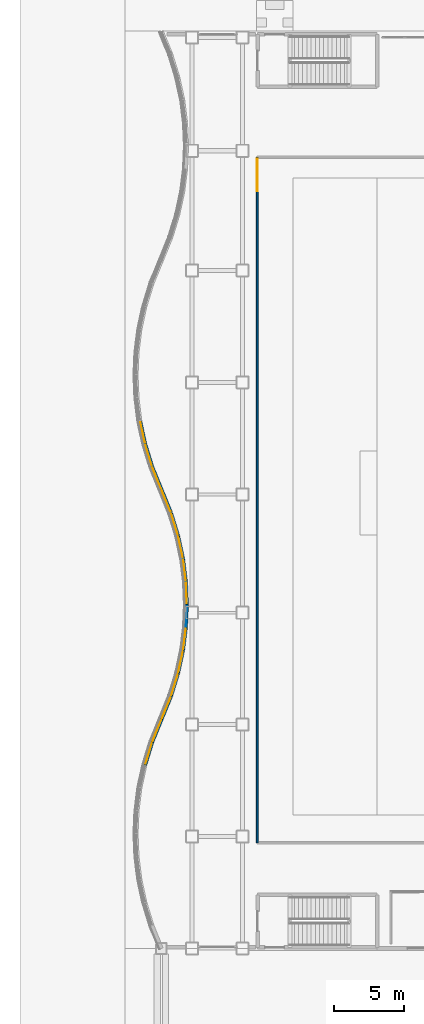
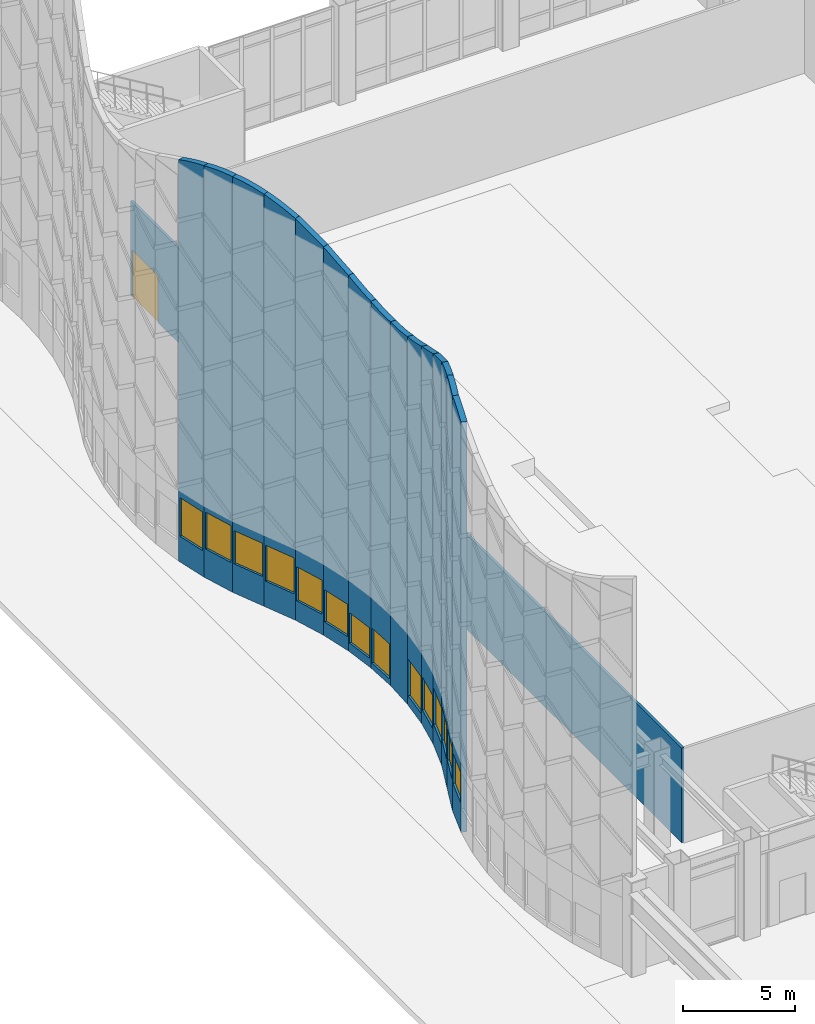
# One storey, part 130 of 165: 16 walls, 14 windows, 1 door, 15 openings.
"""IFC4 building model written with IfcOpenShell, lengths in metres."""

from ifc_helpers import new_model, si_unit, direction, frame, frame_2d, origin, place, context, subcontext, project, spatial, polyline, rectangle, outline, extrude, material, layer, layer_set, type_object, element, fill, save


model = new_model("IFC4")

# Units and contexts
model_context = context("Model", 3, precision=1e-05, world=origin(), true_north=direction((0.0, 1.0)))
body_context = subcontext(model_context, "Body", "Model", "MODEL_VIEW")
ifc_project = project(units=[si_unit("LENGTHUNIT", "METRE"), si_unit("AREAUNIT", "SQUARE_METRE"), si_unit("VOLUMEUNIT", "CUBIC_METRE"), si_unit("PLANEANGLEUNIT", "RADIAN"), si_unit("MASSUNIT", "GRAM", prefix="KILO")], contexts=[model_context])

# Site, building, storey
site_placement = place(None, origin())
site = spatial("IfcSite", under=ifc_project, at=site_placement, CompositionType="ELEMENT")
building_placement = place(site_placement, origin())
building = spatial("IfcBuilding", under=site, at=building_placement, Name="Kazehara Bluff Congress Hotel", CompositionType="ELEMENT")
storey_placement = place(building_placement, origin())
storey = spatial("IfcBuildingStorey", under=building, at=storey_placement, Name="L00", CompositionType="ELEMENT", Elevation=0.0)

# Wall, opening, window
ifc_material_1 = material(Name="Precast concrete C40/50", Category="concrete")
ifc_layer_1 = layer(ifc_material_1, 0.280029296875)
ifc_layer_set_1 = layer_set([ifc_layer_1], Name="Precast concrete C40/50")
wall_type_1 = type_object("IfcWallType", Name="TP-EW-280", PredefinedType="SOLIDWALL", material=ifc_layer_set_1)
wall_1_placement = place(storey_placement, frame((1.425048828125, 61.56005859375, 0.0), z_axis=(0.0, 0.0, 1.0), x_axis=(0.294245819444, 0.955729772342, 0.0)))
wall_1 = element("IfcWall", 1, at=wall_1_placement, inside=storey, type_object=wall_type_1, Name="Wave ribbon wall WR-V1 chord 9", PredefinedType="SOLIDWALL", context=body_context, shape_type="SweptSolid", body=[
    extrude(outline(polyline([(0.0, 0.0), (1.7158203125, 0.0), (1.715087890625, 22.5400390625), (1.5, 22.530029296875), (1.284912109375, 22.510009765625), (1.070068359375, 22.47998046875), (0.860107421875, 22.449951171875), (0.64501953125, 22.4150390625), (0.429931640625, 22.3701171875), (0.215087890625, 22.320068359375), (0.0, 22.264892578125), (0.0, 0.0)])), frame((0.0, 0.14013671875, 0.0), z_axis=(0.0, -1.0, 0.0), x_axis=(1.0, 0.0, 0.0)), (0.0, 0.0, 1.0), 0.280029296875),
])
opening_1_placement = place(wall_1_placement, frame((0.090087890625, 0.0, 1.554931640625)))
opening_1 = element("IfcOpeningElement", 2, at=opening_1_placement, cuts=wall_1, Name="Opening WW-01", PredefinedType="OPENING", context=body_context, shape_type="SweptSolid", body=[
    extrude(rectangle(XDim=1.534912109375, YDim=1.64990234375, at=frame_2d((0.767578125, 0.824951171875))), frame((0.0, 0.14990234375, 0.0), z_axis=(0.0, -1.0, 0.0), x_axis=(1.0, 0.0, 0.0)), (0.0, 0.0, 1.0), 0.300048828125),
])
ifc_material_2 = material(Name="Insulated low-E double glazing", Category="glass")
window_type_1 = type_object("IfcWindowType", Name="TP-WW-01", PartitioningType="SINGLE_PANEL", PredefinedType="WINDOW", material=ifc_material_2)
window_1_placement = place(opening_1_placement, origin())
window_1 = element("IfcWindow", 3, at=window_1_placement, inside=storey, type_object=window_type_1, Name="Wave foyer ribbon window WR-V1-09", OverallHeight=1.64990234375, OverallWidth=1.534912109375, PartitioningType="SINGLE_PANEL", PredefinedType="WINDOW", context=body_context, shape_type="SweptSolid", body=[
    extrude(rectangle(XDim=1.534912109375, YDim=1.64990234375, at=frame_2d((0.767578125, 0.824951171875))), frame((0.0, 0.030029296875, 0.0), z_axis=(0.0, -1.0, 0.0), x_axis=(1.0, 0.0, 0.0)), (0.0, 0.0, 1.0), 0.06005859375),
])
fill(opening_1, window_1)

wall_2_placement = place(storey_placement, frame((1.929931640625, 63.199951171875, 0.0), z_axis=(0.0, 0.0, 1.0), x_axis=(0.378246499761, 0.925704912712, 0.0)))
wall_2 = element("IfcWall", 4, at=wall_2_placement, inside=storey, type_object=wall_type_1, Name="Wave ribbon wall WR-V1 chord 10", PredefinedType="SOLIDWALL", context=body_context, shape_type="SweptSolid", body=[
    extrude(outline(polyline([(0.0, 0.0), (1.771728515625, 0.0), (1.77001953125, 22.4150390625), (1.550048828125, 22.449951171875), (1.330078125, 22.485107421875), (1.10498046875, 22.510009765625), (0.885009765625, 22.530029296875), (0.6650390625, 22.544921875), (0.43994140625, 22.550048828125), (0.219970703125, 22.550048828125), (0.0, 22.5400390625), (0.0, 0.0)])), frame((0.0, 0.14013671875, 0.0), z_axis=(0.0, -1.0, 0.0), x_axis=(1.0, 0.0, 0.0)), (0.0, 0.0, 1.0), 0.280029296875),
])
opening_2_placement = place(wall_2_placement, frame((0.090087890625, 0.0, 1.590087890625)))
opening_2 = element("IfcOpeningElement", 5, at=opening_2_placement, cuts=wall_2, Name="Opening WW-02", PredefinedType="OPENING", context=body_context, shape_type="SweptSolid", body=[
    extrude(rectangle(XDim=1.590087890625, YDim=1.75, at=frame_2d((0.794921875, 0.875))), frame((0.0, 0.14990234375, 0.0), z_axis=(0.0, -1.0, 0.0), x_axis=(1.0, 0.0, 0.0)), (0.0, 0.0, 1.0), 0.300048828125),
])
ifc_material_3 = material(Name="Insulated low-E double glazing", Category="glass")
window_type_2 = type_object("IfcWindowType", Name="TP-WW-02", PartitioningType="SINGLE_PANEL", PredefinedType="WINDOW", material=ifc_material_3)
window_2_placement = place(opening_2_placement, origin())
window_2 = element("IfcWindow", 6, at=window_2_placement, inside=storey, type_object=window_type_2, Name="Wave foyer ribbon window WR-V1-10", OverallHeight=1.75, OverallWidth=1.590087890625, PartitioningType="SINGLE_PANEL", PredefinedType="WINDOW", context=body_context, shape_type="SweptSolid", body=[
    extrude(rectangle(XDim=1.590087890625, YDim=1.75, at=frame_2d((0.794921875, 0.875))), frame((0.0, 0.030029296875, 0.0), z_axis=(0.0, -1.0, 0.0), x_axis=(1.0, 0.0, 0.0)), (0.0, 0.0, 1.0), 0.06005859375),
])
fill(opening_2, window_2)

wall_3_placement = place(storey_placement, frame((2.60009765625, 64.840087890625, 0.0), z_axis=(0.0, 0.0, 1.0), x_axis=(0.379143902022, 0.925337722974, 0.0)))
wall_3 = element("IfcWall", 7, at=wall_3_placement, inside=storey, type_object=wall_type_1, Name="Wave ribbon wall WR-V1 chord 11", PredefinedType="SOLIDWALL", context=body_context, shape_type="SweptSolid", body=[
    extrude(outline(polyline([(0.0, 0.0), (1.766845703125, 0.0), (1.764892578125, 21.905029296875), (1.544921875, 21.985107421875), (1.324951171875, 22.06005859375), (1.10498046875, 22.135009765625), (0.8798828125, 22.199951171875), (0.659912109375, 22.260009765625), (0.43994140625, 22.31494140625), (0.219970703125, 22.3701171875), (0.0, 22.4150390625), (0.0, 0.0)])), frame((0.0, 0.14013671875, 0.0), z_axis=(0.0, -1.0, 0.0), x_axis=(1.0, 0.0, 0.0)), (0.0, 0.0, 1.0), 0.280029296875),
])
opening_3_placement = place(wall_3_placement, frame((0.090087890625, 0.0, 1.43505859375)))
opening_3 = element("IfcOpeningElement", 8, at=opening_3_placement, cuts=wall_3, Name="Opening WW-03", PredefinedType="OPENING", context=body_context, shape_type="SweptSolid", body=[
    extrude(rectangle(XDim=1.5849609375, YDim=1.85009765625, at=frame_2d((0.79248046875, 0.925048828125))), frame((0.0, 0.14990234375, 0.0), z_axis=(0.0, -1.0, 0.0), x_axis=(1.0, 0.0, 0.0)), (0.0, 0.0, 1.0), 0.300048828125),
])
ifc_material_4 = material(Name="Insulated low-E double glazing", Category="glass")
window_type_3 = type_object("IfcWindowType", Name="TP-WW-03", PartitioningType="SINGLE_PANEL", PredefinedType="WINDOW", material=ifc_material_4)
window_3_placement = place(opening_3_placement, origin())
window_3 = element("IfcWindow", 9, at=window_3_placement, inside=storey, type_object=window_type_3, Name="Wave foyer ribbon window WR-V1-11", OverallHeight=1.85009765625, OverallWidth=1.5849609375, PartitioningType="SINGLE_PANEL", PredefinedType="WINDOW", context=body_context, shape_type="SweptSolid", body=[
    extrude(rectangle(XDim=1.5849609375, YDim=1.85009765625, at=frame_2d((0.79248046875, 0.925048828125))), frame((0.0, 0.030029296875, 0.0), z_axis=(0.0, -1.0, 0.0), x_axis=(1.0, 0.0, 0.0)), (0.0, 0.0, 1.0), 0.06005859375),
])
fill(opening_3, window_3)

wall_4_placement = place(storey_placement, frame((3.27001953125, 66.47509765625, 0.0), z_axis=(0.0, 0.0, 1.0), x_axis=(0.294245819444, 0.955729772342, 0.0)))
wall_4 = element("IfcWall", 10, at=wall_4_placement, inside=storey, type_object=wall_type_1, Name="Wave ribbon wall WR-V1 chord 12", PredefinedType="SOLIDWALL", context=body_context, shape_type="SweptSolid", body=[
    extrude(outline(polyline([(0.0, 0.0), (1.7158203125, 0.0), (1.715087890625, 21.195068359375), (1.5, 21.2900390625), (1.284912109375, 21.3798828125), (1.070068359375, 21.47509765625), (0.860107421875, 21.56494140625), (0.64501953125, 21.655029296875), (0.429931640625, 21.739990234375), (0.215087890625, 21.824951171875), (0.0, 21.905029296875), (0.0, 0.0)])), frame((0.0, 0.14013671875, 0.0), z_axis=(0.0, -1.0, 0.0), x_axis=(1.0, 0.0, 0.0)), (0.0, 0.0, 1.0), 0.280029296875),
])
opening_4_placement = place(wall_4_placement, frame((0.090087890625, 0.0, 1.14501953125)))
opening_4 = element("IfcOpeningElement", 11, at=opening_4_placement, cuts=wall_4, Name="Opening WW-04", PredefinedType="OPENING", context=body_context, shape_type="SweptSolid", body=[
    extrude(rectangle(XDim=1.534912109375, YDim=1.949951171875, at=frame_2d((0.767578125, 0.97509765625))), frame((0.0, 0.14990234375, 0.0), z_axis=(0.0, -1.0, 0.0), x_axis=(1.0, 0.0, 0.0)), (0.0, 0.0, 1.0), 0.300048828125),
])
ifc_material_5 = material(Name="Insulated low-E double glazing", Category="glass")
window_type_4 = type_object("IfcWindowType", Name="TP-WW-04", PartitioningType="SINGLE_PANEL", PredefinedType="WINDOW", material=ifc_material_5)
window_4_placement = place(opening_4_placement, origin())
window_4 = element("IfcWindow", 12, at=window_4_placement, inside=storey, type_object=window_type_4, Name="Wave foyer ribbon window WR-V1-12", OverallHeight=1.949951171875, OverallWidth=1.534912109375, PartitioningType="SINGLE_PANEL", PredefinedType="WINDOW", context=body_context, shape_type="SweptSolid", body=[
    extrude(rectangle(XDim=1.534912109375, YDim=1.949951171875, at=frame_2d((0.767578125, 0.97509765625))), frame((0.0, 0.030029296875, 0.0), z_axis=(0.0, -1.0, 0.0), x_axis=(1.0, 0.0, 0.0)), (0.0, 0.0, 1.0), 0.06005859375),
])
fill(opening_4, window_4)

wall_5_placement = place(storey_placement, frame((3.77490234375, 68.114990234375, 0.0), z_axis=(0.0, 0.0, 1.0), x_axis=(0.211565717967, 0.97736377413, 0.0)))
wall_5 = element("IfcWall", 13, at=wall_5_placement, inside=storey, type_object=wall_type_1, Name="Wave ribbon wall WR-V1 chord 13", PredefinedType="SOLIDWALL", context=body_context, shape_type="SweptSolid", body=[
    extrude(outline(polyline([(0.0, 0.0), (1.677978515625, 0.0), (1.679931640625, 20.485107421875), (1.469970703125, 20.56494140625), (1.260009765625, 20.64990234375), (1.050048828125, 20.739990234375), (0.840087890625, 20.824951171875), (0.6298828125, 20.919921875), (0.419921875, 21.010009765625), (0.2099609375, 21.10009765625), (0.0, 21.195068359375), (0.0, 0.0)])), frame((0.0, 0.14013671875, 0.0), z_axis=(0.0, -1.0, 0.0), x_axis=(1.0, 0.0, 0.0)), (0.0, 0.0, 1.0), 0.280029296875),
])
opening_5_placement = place(wall_5_placement, frame((0.090087890625, 0.0, 0.800048828125)))
opening_5 = element("IfcOpeningElement", 14, at=opening_5_placement, cuts=wall_5, Name="Opening WW-05", PredefinedType="OPENING", context=body_context, shape_type="SweptSolid", body=[
    extrude(rectangle(XDim=1.5, YDim=1.800048828125, at=frame_2d((0.75, 0.89990234375))), frame((0.0, 0.14990234375, 0.0), z_axis=(0.0, -1.0, 0.0), x_axis=(1.0, 0.0, 0.0)), (0.0, 0.0, 1.0), 0.300048828125),
])
ifc_material_6 = material(Name="Insulated low-E double glazing", Category="glass")
window_type_5 = type_object("IfcWindowType", Name="TP-WW-05", PartitioningType="DOUBLE_PANEL_VERTICAL", PredefinedType="WINDOW", material=ifc_material_6)
window_5_placement = place(opening_5_placement, origin())
window_5 = element("IfcWindow", 15, at=window_5_placement, inside=storey, type_object=window_type_5, Name="Wave foyer ribbon window WR-V1-13", OverallHeight=1.800048828125, OverallWidth=1.5, PartitioningType="SINGLE_PANEL", PredefinedType="WINDOW", context=body_context, shape_type="SweptSolid", body=[
    extrude(rectangle(XDim=1.5, YDim=1.800048828125, at=frame_2d((0.75, 0.89990234375))), frame((0.0, 0.030029296875, 0.0), z_axis=(0.0, -1.0, 0.0), x_axis=(1.0, 0.0, 0.0)), (0.0, 0.0, 1.0), 0.06005859375),
])
fill(opening_5, window_5)

wall_6_placement = place(storey_placement, frame((4.1298828125, 69.7548828125, 0.0), z_axis=(0.0, 0.0, 1.0), x_axis=(0.124454129367, 0.992225362346, 0.0)))
wall_6 = element("IfcWall", 16, at=wall_6_placement, inside=storey, type_object=wall_type_1, Name="Wave ribbon wall WR-V1 chord 14", PredefinedType="SOLIDWALL", context=body_context, shape_type="SweptSolid", body=[
    extrude(outline(polyline([(0.0, 0.0), (1.647705078125, 0.0), (1.64990234375, 19.9599609375), (1.445068359375, 20.010009765625), (1.235107421875, 20.06494140625), (1.030029296875, 20.125), (0.824951171875, 20.18994140625), (0.6201171875, 20.260009765625), (0.409912109375, 20.330078125), (0.205078125, 20.405029296875), (0.0, 20.485107421875), (0.0, 0.0)])), frame((0.0, 0.14013671875, 0.0), z_axis=(0.0, -1.0, 0.0), x_axis=(1.0, 0.0, 0.0)), (0.0, 0.0, 1.0), 0.280029296875),
])
opening_6_placement = place(wall_6_placement, frame((0.090087890625, 0.0, 0.5048828125)))
opening_6 = element("IfcOpeningElement", 17, at=opening_6_placement, cuts=wall_6, Name="Opening WW-06", PredefinedType="OPENING", context=body_context, shape_type="SweptSolid", body=[
    extrude(rectangle(XDim=1.469970703125, YDim=2.0, at=frame_2d((0.73486328125, 1.0))), frame((0.0, 0.14990234375, 0.0), z_axis=(0.0, -1.0, 0.0), x_axis=(1.0, 0.0, 0.0)), (0.0, 0.0, 1.0), 0.300048828125),
])
ifc_material_7 = material(Name="Insulated low-E double glazing", Category="glass")
window_type_6 = type_object("IfcWindowType", Name="TP-WW-06", PartitioningType="DOUBLE_PANEL_VERTICAL", PredefinedType="WINDOW", material=ifc_material_7)
window_6_placement = place(opening_6_placement, origin())
window_6 = element("IfcWindow", 18, at=window_6_placement, inside=storey, type_object=window_type_6, Name="Wave foyer ribbon window WR-V1-14", OverallHeight=2.0, OverallWidth=1.469970703125, PartitioningType="SINGLE_PANEL", PredefinedType="WINDOW", context=body_context, shape_type="SweptSolid", body=[
    extrude(rectangle(XDim=1.469970703125, YDim=2.0, at=frame_2d((0.73486328125, 1.0))), frame((0.0, 0.030029296875, 0.0), z_axis=(0.0, -1.0, 0.0), x_axis=(1.0, 0.0, 0.0)), (0.0, 0.0, 1.0), 0.06005859375),
])
fill(opening_6, window_6)

# Wall
wall_7_placement = place(storey_placement, frame((4.3349609375, 71.389892578125, 0.0), z_axis=(0.0, 0.0, 1.0), x_axis=(0.042682116378, 0.99908870324, 0.0)))
element("IfcWall", 19, at=wall_7_placement, inside=storey, type_object=wall_type_1, Name="Wave ribbon wall WR-V1 chord 15", PredefinedType="SOLIDWALL", context=body_context, shape_type="SweptSolid", body=[
    extrude(outline(polyline([(0.0, 0.0), (1.6416015625, 0.0), (1.639892578125, 19.75), (1.43505859375, 19.760009765625), (1.22998046875, 19.77001953125), (1.02490234375, 19.7900390625), (0.820068359375, 19.81005859375), (0.614990234375, 19.840087890625), (0.409912109375, 19.875), (0.205078125, 19.9150390625), (0.0, 19.9599609375), (0.0, 0.0)])), frame((0.0, 0.14013671875, 0.0), z_axis=(0.0, -1.0, 0.0), x_axis=(1.0, 0.0, 0.0)), (0.0, 0.0, 1.0), 0.280029296875),
])

# Wall, opening, window
wall_8_placement = place(storey_placement, frame((4.405029296875, 73.030029296875, 0.0), z_axis=(0.0, 0.0, 1.0), x_axis=(-0.042688459142, 0.99908843225, 0.0)))
wall_8 = element("IfcWall", 20, at=wall_8_placement, inside=storey, type_object=wall_type_1, Name="Wave ribbon wall WR-V1 chord 16", PredefinedType="SOLIDWALL", context=body_context, shape_type="SweptSolid", body=[
    extrude(outline(polyline([(0.0, 0.0), (1.641357421875, 0.0), (1.639892578125, 19.905029296875), (1.43505859375, 19.864990234375), (1.22998046875, 19.8349609375), (1.02490234375, 19.804931640625), (0.820068359375, 19.784912109375), (0.614990234375, 19.764892578125), (0.409912109375, 19.7548828125), (0.205078125, 19.75), (0.0, 19.75), (0.0, 0.0)])), frame((0.0, 0.14013671875, 0.0), z_axis=(0.0, -1.0, 0.0), x_axis=(1.0, 0.0, 0.0)), (0.0, 0.0, 1.0), 0.280029296875),
])
opening_7_placement = place(wall_8_placement, frame((0.090087890625, 0.0, 0.31494140625)))
opening_7 = element("IfcOpeningElement", 21, at=opening_7_placement, cuts=wall_8, Name="Opening WW-08", PredefinedType="OPENING", context=body_context, shape_type="SweptSolid", body=[
    extrude(rectangle(XDim=1.4599609375, YDim=1.89990234375, at=frame_2d((0.72998046875, 0.949951171875))), frame((0.0, 0.14990234375, 0.0), z_axis=(0.0, -1.0, 0.0), x_axis=(1.0, 0.0, 0.0)), (0.0, 0.0, 1.0), 0.300048828125),
])
ifc_material_8 = material(Name="Insulated low-E double glazing", Category="glass")
window_type_7 = type_object("IfcWindowType", Name="TP-WW-08", PartitioningType="SINGLE_PANEL", PredefinedType="WINDOW", material=ifc_material_8)
window_7_placement = place(opening_7_placement, origin())
window_7 = element("IfcWindow", 22, at=window_7_placement, inside=storey, type_object=window_type_7, Name="Wave foyer ribbon window WR-V1-16", OverallHeight=1.89990234375, OverallWidth=1.4599609375, PartitioningType="SINGLE_PANEL", PredefinedType="WINDOW", context=body_context, shape_type="SweptSolid", body=[
    extrude(rectangle(XDim=1.4599609375, YDim=1.89990234375, at=frame_2d((0.72998046875, 0.949951171875))), frame((0.0, 0.030029296875, 0.0), z_axis=(0.0, -1.0, 0.0), x_axis=(1.0, 0.0, 0.0)), (0.0, 0.0, 1.0), 0.06005859375),
])
fill(opening_7, window_7)

wall_9_placement = place(storey_placement, frame((4.3349609375, 74.669921875, 0.0), z_axis=(0.0, 0.0, 1.0), x_axis=(-0.124071092335, 0.992273331319, 0.0)))
wall_9 = element("IfcWall", 23, at=wall_9_placement, inside=storey, type_object=wall_type_1, Name="Wave ribbon wall WR-V1 chord 17", PredefinedType="SOLIDWALL", context=body_context, shape_type="SweptSolid", body=[
    extrude(outline(polyline([(0.0, 0.0), (1.65283203125, 0.0), (1.655029296875, 20.385009765625), (1.449951171875, 20.31005859375), (1.239990234375, 20.239990234375), (1.034912109375, 20.175048828125), (0.830078125, 20.110107421875), (0.6201171875, 20.050048828125), (0.4150390625, 20.0), (0.205078125, 19.949951171875), (0.0, 19.905029296875), (0.0, 0.0)])), frame((0.0, 0.14013671875, 0.0), z_axis=(0.0, -1.0, 0.0), x_axis=(1.0, 0.0, 0.0)), (0.0, 0.0, 1.0), 0.280029296875),
])
opening_8_placement = place(wall_9_placement, frame((0.090087890625, 0.0, 0.469970703125)))
opening_8 = element("IfcOpeningElement", 24, at=opening_8_placement, cuts=wall_9, Name="Opening WW-01", PredefinedType="OPENING", context=body_context, shape_type="SweptSolid", body=[
    extrude(rectangle(XDim=1.47509765625, YDim=1.64990234375, at=frame_2d((0.737548828125, 0.824951171875))), frame((0.0, 0.14990234375, 0.0), z_axis=(0.0, -1.0, 0.0), x_axis=(1.0, 0.0, 0.0)), (0.0, 0.0, 1.0), 0.300048828125),
])
window_8_placement = place(opening_8_placement, origin())
window_8 = element("IfcWindow", 25, at=window_8_placement, inside=storey, type_object=window_type_1, Name="Wave foyer ribbon window WR-V1-17", OverallHeight=1.64990234375, OverallWidth=1.47509765625, PartitioningType="SINGLE_PANEL", PredefinedType="WINDOW", context=body_context, shape_type="SweptSolid", body=[
    extrude(rectangle(XDim=1.47509765625, YDim=1.64990234375, at=frame_2d((0.737548828125, 0.824951171875))), frame((0.0, 0.030029296875, 0.0), z_axis=(0.0, -1.0, 0.0), x_axis=(1.0, 0.0, 0.0)), (0.0, 0.0, 1.0), 0.06005859375),
])
fill(opening_8, window_8)

wall_10_placement = place(storey_placement, frame((4.1298828125, 76.31005859375, 0.0), z_axis=(0.0, 0.0, 1.0), x_axis=(-0.211565717967, 0.97736377413, 0.0)))
wall_10 = element("IfcWall", 26, at=wall_10_placement, inside=storey, type_object=wall_type_1, Name="Wave ribbon wall WR-V1 chord 18", PredefinedType="SOLIDWALL", context=body_context, shape_type="SweptSolid", body=[
    extrude(outline(polyline([(0.0, 0.0), (1.677978515625, 0.0), (1.679931640625, 21.080078125), (1.469970703125, 20.989990234375), (1.260009765625, 20.89990234375), (1.050048828125, 20.81005859375), (0.840087890625, 20.719970703125), (0.6298828125, 20.635009765625), (0.419921875, 20.550048828125), (0.2099609375, 20.465087890625), (0.0, 20.385009765625), (0.0, 0.0)])), frame((0.0, 0.14013671875, 0.0), z_axis=(0.0, -1.0, 0.0), x_axis=(1.0, 0.0, 0.0)), (0.0, 0.0, 1.0), 0.280029296875),
])
opening_9_placement = place(wall_10_placement, frame((0.090087890625, 0.0, 0.75)))
opening_9 = element("IfcOpeningElement", 27, at=opening_9_placement, cuts=wall_10, Name="Opening WW-02", PredefinedType="OPENING", context=body_context, shape_type="SweptSolid", body=[
    extrude(rectangle(XDim=1.5, YDim=1.75, at=frame_2d((0.75, 0.875))), frame((0.0, 0.14990234375, 0.0), z_axis=(0.0, -1.0, 0.0), x_axis=(1.0, 0.0, 0.0)), (0.0, 0.0, 1.0), 0.300048828125),
])
window_9_placement = place(opening_9_placement, origin())
window_9 = element("IfcWindow", 28, at=window_9_placement, inside=storey, type_object=window_type_2, Name="Wave foyer ribbon window WR-V1-18", OverallHeight=1.75, OverallWidth=1.5, PartitioningType="SINGLE_PANEL", PredefinedType="WINDOW", context=body_context, shape_type="SweptSolid", body=[
    extrude(rectangle(XDim=1.5, YDim=1.75, at=frame_2d((0.75, 0.875))), frame((0.0, 0.030029296875, 0.0), z_axis=(0.0, -1.0, 0.0), x_axis=(1.0, 0.0, 0.0)), (0.0, 0.0, 1.0), 0.06005859375),
])
fill(opening_9, window_9)

wall_11_placement = place(storey_placement, frame((3.77490234375, 77.949951171875, 0.0), z_axis=(0.0, 0.0, 1.0), x_axis=(-0.295048165385, 0.955482380844, 0.0)))
wall_11 = element("IfcWall", 29, at=wall_11_placement, inside=storey, type_object=wall_type_1, Name="Wave ribbon wall WR-V1 chord 19", PredefinedType="SOLIDWALL", context=body_context, shape_type="SweptSolid", body=[
    extrude(outline(polyline([(0.0, 0.0), (1.711181640625, 0.0), (1.7099609375, 21.804931640625), (1.4951171875, 21.72509765625), (1.280029296875, 21.635009765625), (1.070068359375, 21.544921875), (0.85498046875, 21.455078125), (0.639892578125, 21.364990234375), (0.429931640625, 21.27001953125), (0.215087890625, 21.175048828125), (0.0, 21.080078125), (0.0, 0.0)])), frame((0.0, 0.14013671875, 0.0), z_axis=(0.0, -1.0, 0.0), x_axis=(1.0, 0.0, 0.0)), (0.0, 0.0, 1.0), 0.280029296875),
])
opening_10_placement = place(wall_11_placement, frame((0.090087890625, 0.0, 1.090087890625)))
opening_10 = element("IfcOpeningElement", 30, at=opening_10_placement, cuts=wall_11, Name="Opening WW-03", PredefinedType="OPENING", context=body_context, shape_type="SweptSolid", body=[
    extrude(rectangle(XDim=1.530029296875, YDim=1.85009765625, at=frame_2d((0.76513671875, 0.925048828125))), frame((0.0, 0.14990234375, 0.0), z_axis=(0.0, -1.0, 0.0), x_axis=(1.0, 0.0, 0.0)), (0.0, 0.0, 1.0), 0.300048828125),
])
window_10_placement = place(opening_10_placement, origin())
window_10 = element("IfcWindow", 31, at=window_10_placement, inside=storey, type_object=window_type_3, Name="Wave foyer ribbon window WR-V1-19", OverallHeight=1.85009765625, OverallWidth=1.530029296875, PartitioningType="SINGLE_PANEL", PredefinedType="WINDOW", context=body_context, shape_type="SweptSolid", body=[
    extrude(rectangle(XDim=1.530029296875, YDim=1.85009765625, at=frame_2d((0.76513671875, 0.925048828125))), frame((0.0, 0.030029296875, 0.0), z_axis=(0.0, -1.0, 0.0), x_axis=(1.0, 0.0, 0.0)), (0.0, 0.0, 1.0), 0.06005859375),
])
fill(opening_10, window_10)

wall_12_placement = place(storey_placement, frame((3.27001953125, 79.5849609375, 0.0), z_axis=(0.0, 0.0, 1.0), x_axis=(-0.378128410159, 0.925753155777, 0.0)))
wall_12 = element("IfcWall", 32, at=wall_12_placement, inside=storey, type_object=wall_type_1, Name="Wave ribbon wall WR-V1 chord 20", PredefinedType="SOLIDWALL", context=body_context, shape_type="SweptSolid", body=[
    extrude(outline(polyline([(0.0, 0.0), (1.771728515625, 0.0), (1.77001953125, 22.360107421875), (1.550048828125, 22.31005859375), (1.330078125, 22.25), (1.10498046875, 22.18994140625), (0.885009765625, 22.1201171875), (0.6650390625, 22.050048828125), (0.43994140625, 21.969970703125), (0.219970703125, 21.889892578125), (0.0, 21.804931640625), (0.0, 0.0)])), frame((0.0, 0.14013671875, 0.0), z_axis=(0.0, -1.0, 0.0), x_axis=(1.0, 0.0, 0.0)), (0.0, 0.0, 1.0), 0.280029296875),
])
opening_11_placement = place(wall_12_placement, frame((0.090087890625, 0.0, 1.39990234375)))
opening_11 = element("IfcOpeningElement", 33, at=opening_11_placement, cuts=wall_12, Name="Opening WW-04", PredefinedType="OPENING", context=body_context, shape_type="SweptSolid", body=[
    extrude(rectangle(XDim=1.590087890625, YDim=1.949951171875, at=frame_2d((0.794921875, 0.97509765625))), frame((0.0, 0.14990234375, 0.0), z_axis=(0.0, -1.0, 0.0), x_axis=(1.0, 0.0, 0.0)), (0.0, 0.0, 1.0), 0.300048828125),
])
window_11_placement = place(opening_11_placement, origin())
window_11 = element("IfcWindow", 34, at=window_11_placement, inside=storey, type_object=window_type_4, Name="Wave foyer ribbon window WR-V1-20", OverallHeight=1.949951171875, OverallWidth=1.590087890625, PartitioningType="SINGLE_PANEL", PredefinedType="WINDOW", context=body_context, shape_type="SweptSolid", body=[
    extrude(rectangle(XDim=1.590087890625, YDim=1.949951171875, at=frame_2d((0.794921875, 0.97509765625))), frame((0.0, 0.030029296875, 0.0), z_axis=(0.0, -1.0, 0.0), x_axis=(1.0, 0.0, 0.0)), (0.0, 0.0, 1.0), 0.06005859375),
])
fill(opening_11, window_11)

wall_13_placement = place(storey_placement, frame((2.60009765625, 81.22509765625, 0.0), z_axis=(0.0, 0.0, 1.0), x_axis=(-0.378294753484, 0.925685194592, 0.0)))
wall_13 = element("IfcWall", 35, at=wall_13_placement, inside=storey, type_object=wall_type_1, Name="Wave ribbon wall WR-V1 chord 21", PredefinedType="SOLIDWALL", context=body_context, shape_type="SweptSolid", body=[
    extrude(outline(polyline([(0.0, 0.0), (1.771484375, 0.0), (1.77001953125, 22.550048828125), (1.550048828125, 22.550048828125), (1.330078125, 22.5400390625), (1.10498046875, 22.530029296875), (0.885009765625, 22.5048828125), (0.6650390625, 22.47998046875), (0.43994140625, 22.445068359375), (0.219970703125, 22.405029296875), (0.0, 22.360107421875), (0.0, 0.0)])), frame((0.0, 0.14013671875, 0.0), z_axis=(0.0, -1.0, 0.0), x_axis=(1.0, 0.0, 0.0)), (0.0, 0.0, 1.0), 0.280029296875),
])
opening_12_placement = place(wall_13_placement, frame((0.090087890625, 0.0, 1.580078125)))
opening_12 = element("IfcOpeningElement", 36, at=opening_12_placement, cuts=wall_13, Name="Opening WW-05", PredefinedType="OPENING", context=body_context, shape_type="SweptSolid", body=[
    extrude(rectangle(XDim=1.590087890625, YDim=1.800048828125, at=frame_2d((0.794921875, 0.89990234375))), frame((0.0, 0.14990234375, 0.0), z_axis=(0.0, -1.0, 0.0), x_axis=(1.0, 0.0, 0.0)), (0.0, 0.0, 1.0), 0.300048828125),
])
window_12_placement = place(opening_12_placement, origin())
window_12 = element("IfcWindow", 37, at=window_12_placement, inside=storey, type_object=window_type_5, Name="Wave foyer ribbon window WR-V1-21", OverallHeight=1.800048828125, OverallWidth=1.590087890625, PartitioningType="SINGLE_PANEL", PredefinedType="WINDOW", context=body_context, shape_type="SweptSolid", body=[
    extrude(rectangle(XDim=1.590087890625, YDim=1.800048828125, at=frame_2d((0.794921875, 0.89990234375))), frame((0.0, 0.030029296875, 0.0), z_axis=(0.0, -1.0, 0.0), x_axis=(1.0, 0.0, 0.0)), (0.0, 0.0, 1.0), 0.06005859375),
])
fill(opening_12, window_12)

wall_14_placement = place(storey_placement, frame((1.929931640625, 82.864990234375, 0.0), z_axis=(0.0, 0.0, 1.0), x_axis=(-0.295048165385, 0.955482380844, 0.0)))
wall_14 = element("IfcWall", 38, at=wall_14_placement, inside=storey, type_object=wall_type_1, Name="Wave ribbon wall WR-V1 chord 22", PredefinedType="SOLIDWALL", context=body_context, shape_type="SweptSolid", body=[
    extrude(outline(polyline([(0.0, 0.0), (1.711181640625, 0.0), (1.7099609375, 22.330078125), (1.4951171875, 22.3798828125), (1.280029296875, 22.419921875), (1.070068359375, 22.455078125), (0.85498046875, 22.489990234375), (0.639892578125, 22.514892578125), (0.429931640625, 22.530029296875), (0.215087890625, 22.544921875), (0.0, 22.550048828125), (0.0, 0.0)])), frame((0.0, 0.14013671875, 0.0), z_axis=(0.0, -1.0, 0.0), x_axis=(1.0, 0.0, 0.0)), (0.0, 0.0, 1.0), 0.280029296875),
])
opening_13_placement = place(wall_14_placement, frame((0.090087890625, 0.0, 1.570068359375)))
opening_13 = element("IfcOpeningElement", 39, at=opening_13_placement, cuts=wall_14, Name="Opening WW-06", PredefinedType="OPENING", context=body_context, shape_type="SweptSolid", body=[
    extrude(rectangle(XDim=1.530029296875, YDim=2.0, at=frame_2d((0.76513671875, 1.0))), frame((0.0, 0.14990234375, 0.0), z_axis=(0.0, -1.0, 0.0), x_axis=(1.0, 0.0, 0.0)), (0.0, 0.0, 1.0), 0.300048828125),
])
window_13_placement = place(opening_13_placement, origin())
window_13 = element("IfcWindow", 40, at=window_13_placement, inside=storey, type_object=window_type_6, Name="Wave foyer ribbon window WR-V1-22", OverallHeight=2.0, OverallWidth=1.530029296875, PartitioningType="SINGLE_PANEL", PredefinedType="WINDOW", context=body_context, shape_type="SweptSolid", body=[
    extrude(rectangle(XDim=1.530029296875, YDim=2.0, at=frame_2d((0.76513671875, 1.0))), frame((0.0, 0.030029296875, 0.0), z_axis=(0.0, -1.0, 0.0), x_axis=(1.0, 0.0, 0.0)), (0.0, 0.0, 1.0), 0.06005859375),
])
fill(opening_13, window_13)

wall_15_placement = place(storey_placement, frame((1.425048828125, 84.5, 0.0), z_axis=(0.0, 0.0, 1.0), x_axis=(-0.211565717967, 0.97736377413, 0.0)))
wall_15 = element("IfcWall", 41, at=wall_15_placement, inside=storey, type_object=wall_type_1, Name="Wave ribbon wall WR-V1 chord 23", PredefinedType="SOLIDWALL", context=body_context, shape_type="SweptSolid", body=[
    extrude(outline(polyline([(0.0, 0.0), (1.677978515625, 0.0), (1.679931640625, 21.7900390625), (1.469970703125, 21.8701171875), (1.260009765625, 21.949951171875), (1.050048828125, 22.02490234375), (0.840087890625, 22.094970703125), (0.6298828125, 22.159912109375), (0.419921875, 22.219970703125), (0.2099609375, 22.280029296875), (0.0, 22.330078125), (0.0, 0.0)])), frame((0.0, 0.14013671875, 0.0), z_axis=(0.0, -1.0, 0.0), x_axis=(1.0, 0.0, 0.0)), (0.0, 0.0, 1.0), 0.280029296875),
])
opening_14_placement = place(wall_15_placement, frame((0.090087890625, 0.0, 1.389892578125)))
opening_14 = element("IfcOpeningElement", 42, at=opening_14_placement, cuts=wall_15, Name="Opening WW-07", PredefinedType="OPENING", context=body_context, shape_type="SweptSolid", body=[
    extrude(rectangle(XDim=1.5, YDim=2.10009765625, at=frame_2d((0.75, 1.050048828125))), frame((0.0, 0.14990234375, 0.0), z_axis=(0.0, -1.0, 0.0), x_axis=(1.0, 0.0, 0.0)), (0.0, 0.0, 1.0), 0.300048828125),
])
ifc_material_9 = material(Name="Insulated low-E double glazing", Category="glass")
window_type_8 = type_object("IfcWindowType", Name="TP-WW-07", PartitioningType="DOUBLE_PANEL_VERTICAL", PredefinedType="WINDOW", material=ifc_material_9)
window_14_placement = place(opening_14_placement, origin())
window_14 = element("IfcWindow", 43, at=window_14_placement, inside=storey, type_object=window_type_8, Name="Wave foyer ribbon window WR-V1-23", OverallHeight=2.10009765625, OverallWidth=1.5, PartitioningType="SINGLE_PANEL", PredefinedType="WINDOW", context=body_context, shape_type="SweptSolid", body=[
    extrude(rectangle(XDim=1.5, YDim=2.10009765625, at=frame_2d((0.75, 1.050048828125))), frame((0.0, 0.030029296875, 0.0), z_axis=(0.0, -1.0, 0.0), x_axis=(1.0, 0.0, 0.0)), (0.0, 0.0, 1.0), 0.06005859375),
])
fill(opening_14, window_14)

# Wall, opening, door
ifc_material_10 = material(Name="Fire-rated gypsum board stud partition")
ifc_layer_2 = layer(ifc_material_10, 0.1298828125)
ifc_layer_set_2 = layer_set([ifc_layer_2], Name="Fire-rated gypsum board stud partition")
wall_type_2 = type_object("IfcWallType", Name="TP-PT-130", PredefinedType="PARTITIONING", material=ifc_layer_set_2)
wall_16_placement = place(storey_placement, frame((9.449951171875, 56.0, 0.0), z_axis=(0.0, 0.0, 1.0), x_axis=(0.0, 1.0, 0.0)))
wall_16 = element("IfcWall", 44, at=wall_16_placement, inside=storey, type_object=wall_type_2, Name="L00 partition PT-130 93", PredefinedType="PARTITIONING", context=body_context, shape_type="SweptSolid", body=[
    extrude(rectangle(XDim=49.0, YDim=0.1298828125, at=frame_2d((24.5, 0.0))), origin(), (0.0, 0.0, 1.0), 5.135009765625),
])
opening_15_placement = place(wall_16_placement, frame((46.580078125, 0.0, 0.0)))
opening_15 = element("IfcOpeningElement", 45, at=opening_15_placement, cuts=wall_16, Name="Opening AD-03", PredefinedType="OPENING", context=body_context, shape_type="SweptSolid", body=[
    extrude(rectangle(XDim=2.300048828125, YDim=2.550048828125, at=frame_2d((1.14990234375, 1.27490234375))), frame((0.0, 0.074951171875, 0.0), z_axis=(0.0, -1.0, 0.0), x_axis=(1.0, 0.0, 0.0)), (0.0, 0.0, 1.0), 0.14990234375),
])
ifc_material_11 = material(Name="Architectural oak veneer leaf")
door_type = type_object("IfcDoorType", Name="TP-AD-03", OperationType="DOUBLE_DOOR_SINGLE_SWING", PredefinedType="DOOR", material=ifc_material_11)
door_placement = place(opening_15_placement, origin())
door = element("IfcDoor", 46, at=door_placement, inside=storey, type_object=door_type, Name="L00 Congress Hall Stalls door", OperationType="DOUBLE_DOOR_SINGLE_SWING", OverallHeight=2.550048828125, OverallWidth=2.300048828125, PredefinedType="DOOR", context=body_context, shape_type="SweptSolid", body=[
    extrude(rectangle(XDim=2.300048828125, YDim=2.550048828125, at=frame_2d((1.14990234375, 1.27490234375))), frame((0.0, 0.02490234375, 0.0), z_axis=(0.0, -1.0, 0.0), x_axis=(1.0, 0.0, 0.0)), (0.0, 0.0, 1.0), 0.050048828125),
])
fill(opening_15, door)

save(model, "model.ifc")
